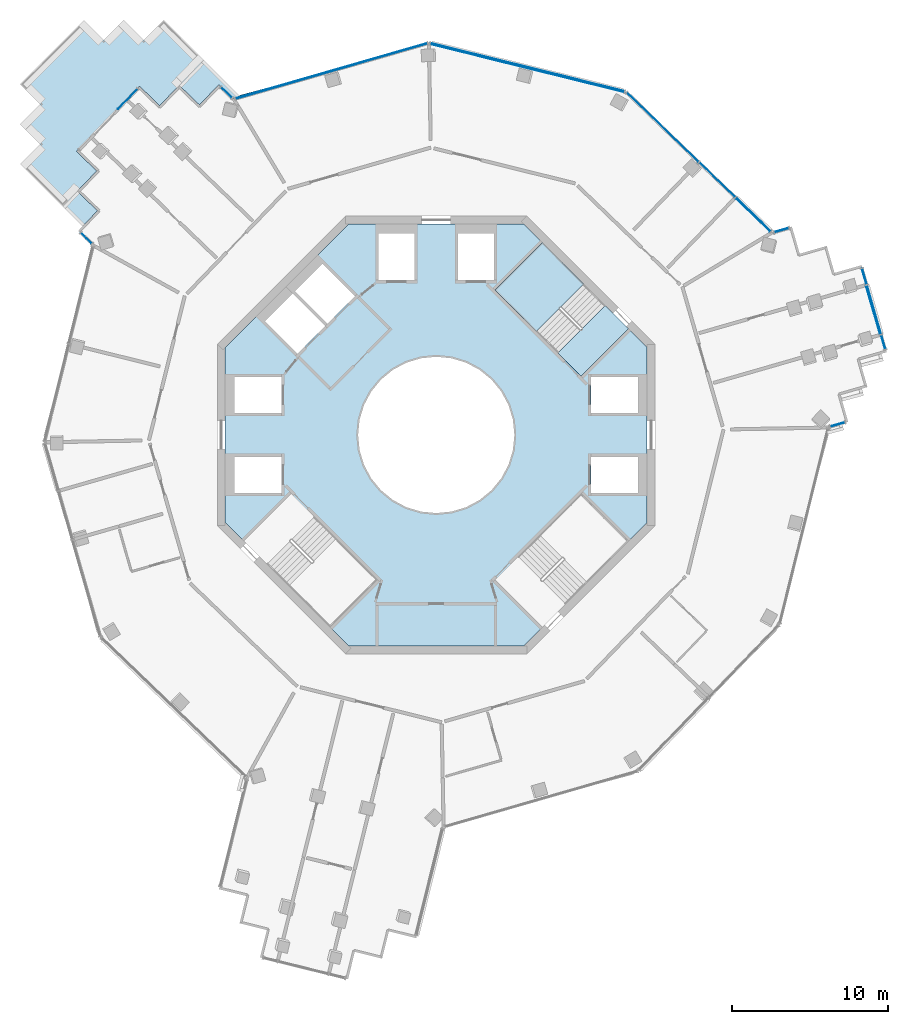
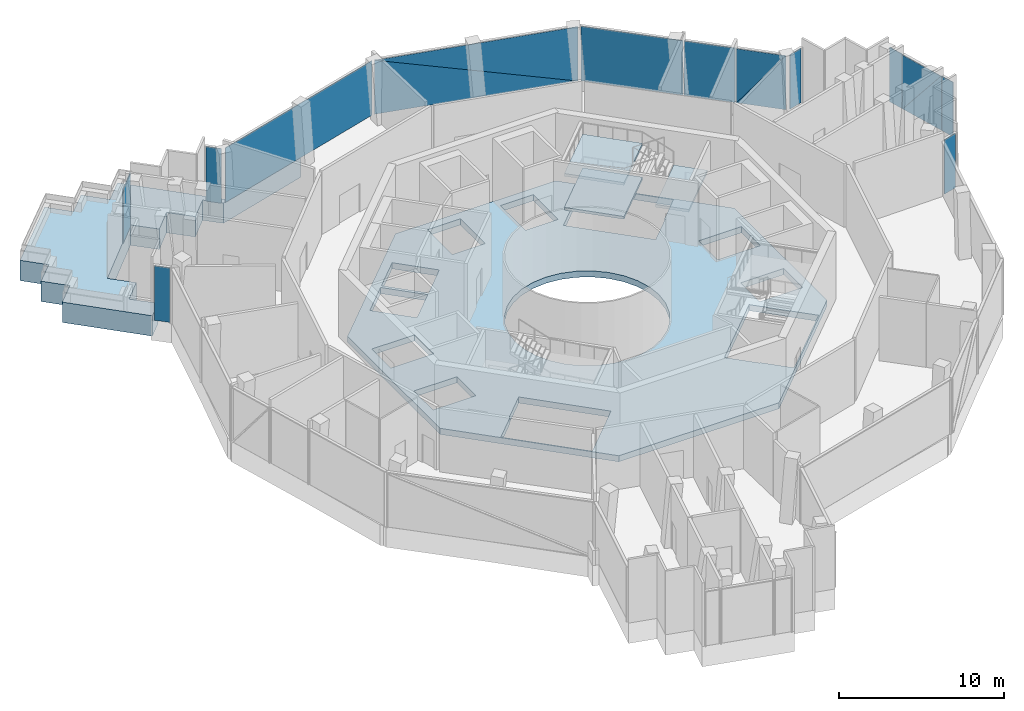
# One storey, part 7 of 17: 16 plates, 5 slabs, 10 elements without a shape of their own.
"""IFC4 building model written with IfcOpenShell, lengths in metres."""

from ifc_helpers import new_model, si_unit, direction, frame, origin, origin_2d, place, context, subcontext, project, spatial, polyline, rectangle, outline, extrude, material, layer, layer_set, type_object, element, aggregate, save


model = new_model("IFC4")

# Units and contexts
model_context = context("Model", 3, precision=1e-05, world=origin(), true_north=direction((0.0, 1.0)))
body_context = subcontext(model_context, "Body", "Model", "MODEL_VIEW")
ifc_project = project(units=[si_unit("LENGTHUNIT", "METRE"), si_unit("AREAUNIT", "SQUARE_METRE"), si_unit("VOLUMEUNIT", "CUBIC_METRE"), si_unit("PLANEANGLEUNIT", "RADIAN"), si_unit("MASSUNIT", "GRAM", prefix="KILO")], contexts=[model_context])

# Site, building, storey
site_placement = place(None, origin())
site = spatial("IfcSite", under=ifc_project, at=site_placement, CompositionType="ELEMENT")
building_placement = place(site_placement, origin())
building = spatial("IfcBuilding", under=site, at=building_placement, Name="Verdalira Terraces Hotel", CompositionType="ELEMENT")
storey_placement = place(building_placement, frame((0.0, 0.0, 222.0)))
storey = spatial("IfcBuildingStorey", under=building, at=storey_placement, Name="L54", CompositionType="ELEMENT", Elevation=222.0)

# Curtain wall, plate
ifc_material_1 = material(Name="Clear glass", Category="glass")
ifc_layer_1 = layer(ifc_material_1, 0.239990234375)
ifc_layer_set_1 = layer_set([ifc_layer_1], Name="CW5 curtain wall")
curtain_wall_type = type_object("IfcCurtainWallType", Name="CW5 curtain wall", PredefinedType="NOTDEFINED", material=ifc_layer_set_1)
curtain_wall_1_placement = place(storey_placement, origin())
curtain_wall_1 = element("IfcCurtainWall", 1, at=curtain_wall_1_placement, inside=storey, type_object=curtain_wall_type, Name="CW5 curtain wall L54 edge 0", PredefinedType="NOTDEFINED")
ifc_material_2 = material(Name="Clear glass", Category="glass")
ifc_layer_2 = layer(ifc_material_2, 0.0439453125)
ifc_layer_set_2 = layer_set([ifc_layer_2], Name="CW5 glass unit 44")
plate_type = type_object("IfcPlateType", Name="CW5 glass unit 44", PredefinedType="CURTAIN_PANEL", material=ifc_layer_set_2)
plate_1_placement = place(storey_placement, frame((-13.417969, 21.903564, 0.0), z_axis=(0.0, 0.0, 1.0), x_axis=(-0.720309025, 0.693653306, 0.0)))
plate_1 = element("IfcPlate", 2, at=plate_1_placement, type_object=plate_type, Name="CW5 glass unit", PredefinedType="CURTAIN_PANEL", context=body_context, shape_type="SweptSolid", body=[
    extrude(rectangle(XDim=0.956543, YDim=0.043945, at=origin_2d()), origin(), (0.0, 0.0, 1.0), 4.014893),
])
aggregate(curtain_wall_1, [plate_1])

curtain_wall_2_placement = place(storey_placement, origin())
curtain_wall_2 = element("IfcCurtainWall", 3, at=curtain_wall_2_placement, inside=storey, type_object=curtain_wall_type, Name="CW5 curtain wall L54 edge 5", PredefinedType="NOTDEFINED")
plate_2_placement = place(storey_placement, frame((-19.742188, 21.489746, 0.0), z_axis=(0.0, 0.0, 1.0), x_axis=(-0.693653306, -0.720309025, 0.0)))
plate_2 = element("IfcPlate", 4, at=plate_2_placement, type_object=plate_type, Name="CW5 glass unit", PredefinedType="CURTAIN_PANEL", context=body_context, shape_type="SweptSolid", body=[
    extrude(rectangle(XDim=1.790039, YDim=0.043945, at=origin_2d()), origin(), (0.0, 0.0, 1.0), 4.014893),
])
aggregate(curtain_wall_2, [plate_2])

curtain_wall_3_placement = place(storey_placement, origin())
curtain_wall_3 = element("IfcCurtainWall", 5, at=curtain_wall_3_placement, inside=storey, type_object=curtain_wall_type, Name="CW5 curtain wall L54 edge 10", PredefinedType="NOTDEFINED")
plate_3_placement = place(storey_placement, frame((-22.393799, 12.582764, 0.0), z_axis=(0.0, 0.0, 1.0), x_axis=(0.720309025, -0.693653306, 0.0)))
plate_3 = element("IfcPlate", 6, at=plate_3_placement, type_object=plate_type, Name="CW5 glass unit", PredefinedType="CURTAIN_PANEL", context=body_context, shape_type="SweptSolid", body=[
    extrude(rectangle(XDim=0.956543, YDim=0.043945, at=origin_2d()), origin(), (0.0, 0.0, 1.0), 4.014893),
])
aggregate(curtain_wall_3, [plate_3])

curtain_wall_4_placement = place(storey_placement, origin())
curtain_wall_4 = element("IfcCurtainWall", 7, at=curtain_wall_4_placement, inside=storey, type_object=curtain_wall_type, Name="CW5 curtain wall L54 edge 28", PredefinedType="NOTDEFINED")
plate_4_placement = place(storey_placement, frame((25.677979, 0.668457, 0.0), z_axis=(0.0, 0.0, 1.0), x_axis=(0.960875897, 0.276979261, 0.0)))
plate_4 = element("IfcPlate", 8, at=plate_4_placement, type_object=plate_type, Name="CW5 glass unit", PredefinedType="CURTAIN_PANEL", context=body_context, shape_type="SweptSolid", body=[
    extrude(rectangle(XDim=0.956543, YDim=0.043945, at=origin_2d()), origin(), (0.0, 0.0, 1.0), 4.014893),
])
aggregate(curtain_wall_4, [plate_4])

# Curtain wall, plates
curtain_wall_5_placement = place(storey_placement, origin())
curtain_wall_5 = element("IfcCurtainWall", 9, at=curtain_wall_5_placement, inside=storey, type_object=curtain_wall_type, Name="CW5 curtain wall L54 edge 33", PredefinedType="NOTDEFINED")
plate_5_placement = place(storey_placement, frame((28.601074, 5.938232, 0.0), z_axis=(0.0, 0.0, 1.0), x_axis=(-0.276979261, 0.960875897, 0.0)))
plate_5 = element("IfcPlate", 10, at=plate_5_placement, type_object=plate_type, Name="CW5 glass unit", PredefinedType="CURTAIN_PANEL", context=body_context, shape_type="SweptSolid", body=[
    extrude(rectangle(XDim=0.927734, YDim=0.043945, at=origin_2d()), origin(), (0.0, 0.0, 1.0), 4.014893),
])
plate_6_placement = place(storey_placement, frame((27.98291, 8.003906, 2.007568), z_axis=(0.960875897, 0.276979261, 0.0), x_axis=(-0.276979261, 0.960875897, 0.0)))
plate_6 = element("IfcPlate", 11, at=plate_6_placement, type_object=plate_type, Name="CW5 glass unit", PredefinedType="CURTAIN_PANEL", context=body_context, shape_type="SweptSolid", body=[
    extrude(outline(polyline([(-1.622314, -2.007324), (1.622314, -2.007324), (-1.622314, 2.007324), (-1.622314, -2.007324)])), origin(), (0.0, 0.0, 1.0), 0.043945),
])
plate_7_placement = place(storey_placement, frame((27.939697, 7.991455, 2.007568), z_axis=(0.960875897, 0.276979261, 0.0), x_axis=(-0.276979261, 0.960875897, 0.0)))
plate_7 = element("IfcPlate", 12, at=plate_7_placement, type_object=plate_type, Name="CW5 glass unit", PredefinedType="CURTAIN_PANEL", context=body_context, shape_type="SweptSolid", body=[
    extrude(outline(polyline([(1.622314, -2.007324), (1.622314, 2.007324), (-1.622314, 2.007324), (1.622314, -2.007324)])), origin(), (0.0, 0.0, 1.0), 0.043945),
])
plate_8_placement = place(storey_placement, frame((27.389893, 10.139404, 0.0), z_axis=(0.0, 0.0, 1.0), x_axis=(-0.276979261, 0.960875897, 0.0)))
plate_8 = element("IfcPlate", 13, at=plate_8_placement, type_object=plate_type, Name="CW5 glass unit", PredefinedType="CURTAIN_PANEL", context=body_context, shape_type="SweptSolid", body=[
    extrude(rectangle(XDim=1.047363, YDim=0.043945, at=origin_2d()), origin(), (0.0, 0.0, 1.0), 4.014893),
])
aggregate(curtain_wall_5, [plate_5, plate_6, plate_7, plate_8])

# Curtain wall, plate
curtain_wall_6_placement = place(storey_placement, origin())
curtain_wall_6 = element("IfcCurtainWall", 14, at=curtain_wall_6_placement, inside=storey, type_object=curtain_wall_type, Name="CW5 curtain wall L54 edge 38", PredefinedType="NOTDEFINED")
plate_9_placement = place(storey_placement, frame((22.093994, 13.102051, 0.0), z_axis=(0.0, 0.0, 1.0), x_axis=(-0.960875897, -0.276979261, 0.0)))
plate_9 = element("IfcPlate", 15, at=plate_9_placement, type_object=plate_type, Name="CW5 glass unit", PredefinedType="CURTAIN_PANEL", context=body_context, shape_type="SweptSolid", body=[
    extrude(rectangle(XDim=0.956543, YDim=0.043945, at=origin_2d()), origin(), (0.0, 0.0, 1.0), 4.014893),
])
aggregate(curtain_wall_6, [plate_9])

# Curtain wall, plates
curtain_wall_7_placement = place(storey_placement, origin())
curtain_wall_7 = element("IfcCurtainWall", 16, at=curtain_wall_7_placement, inside=storey, type_object=curtain_wall_type, Name="CW5 curtain wall L54 edge 39", PredefinedType="NOTDEFINED")
plate_10_placement = place(storey_placement, frame((20.270996, 14.084717, 2.007568), z_axis=(0.693653306, 0.720309025, 0.0), x_axis=(-0.720309025, 0.693653306, 0.0)))
plate_10 = element("IfcPlate", 17, at=plate_10_placement, type_object=plate_type, Name="CW5 glass unit", PredefinedType="CURTAIN_PANEL", context=body_context, shape_type="SweptSolid", body=[
    extrude(outline(polyline([(-1.546387, -2.007324), (1.546387, -2.007324), (-1.546387, 2.007324), (-1.546387, -2.007324)])), origin(), (0.0, 0.0, 1.0), 0.043945),
])
plate_11_placement = place(storey_placement, frame((20.239746, 14.05249, 2.007568), z_axis=(0.693653306, 0.720309025, 0.0), x_axis=(-0.720309025, 0.693653306, 0.0)))
plate_11 = element("IfcPlate", 18, at=plate_11_placement, type_object=plate_type, Name="CW5 glass unit", PredefinedType="CURTAIN_PANEL", context=body_context, shape_type="SweptSolid", body=[
    extrude(outline(polyline([(1.546387, -2.007324), (1.546387, 2.007324), (-1.546387, 2.007324), (1.546387, -2.007324)])), origin(), (0.0, 0.0, 1.0), 0.043945),
])
plate_12_placement = place(storey_placement, frame((17.976562, 16.324707, 0.0), z_axis=(0.0, 0.0, 1.0), x_axis=(-0.720309025, 0.693653306, 0.0)))
plate_12 = element("IfcPlate", 19, at=plate_12_placement, type_object=plate_type, Name="CW5 glass unit", PredefinedType="CURTAIN_PANEL", context=body_context, shape_type="SweptSolid", body=[
    extrude(rectangle(XDim=3.179932, YDim=0.043945, at=origin_2d()), origin(), (0.0, 0.0, 1.0), 4.014893),
])
plate_13_placement = place(storey_placement, frame((14.492188, 19.680176, 0.0), z_axis=(0.0, 0.0, 1.0), x_axis=(-0.720309025, 0.693653306, 0.0)))
plate_13 = element("IfcPlate", 20, at=plate_13_placement, type_object=plate_type, Name="CW5 glass unit", PredefinedType="CURTAIN_PANEL", context=body_context, shape_type="SweptSolid", body=[
    extrude(rectangle(XDim=6.354736, YDim=0.043945, at=origin_2d()), origin(), (0.0, 0.0, 1.0), 4.014893),
])
aggregate(curtain_wall_7, [plate_10, plate_11, plate_12, plate_13])

curtain_wall_8_placement = place(storey_placement, origin())
curtain_wall_8 = element("IfcCurtainWall", 21, at=curtain_wall_8_placement, inside=storey, type_object=curtain_wall_type, Name="CW5 curtain wall L54 edge 40", PredefinedType="NOTDEFINED")
plate_14_placement = place(storey_placement, frame((5.823242, 23.495605, 2.007568), z_axis=(0.240566872, 0.970632567, 0.0), x_axis=(-0.970632567, 0.240566872, 0.0)))
plate_14 = element("IfcPlate", 22, at=plate_14_placement, type_object=plate_type, Name="CW5 glass unit", PredefinedType="CURTAIN_PANEL", context=body_context, shape_type="SweptSolid", body=[
    extrude(outline(polyline([(-6.389648, -2.007324), (6.389648, -2.007324), (6.389648, 2.007324), (-6.389648, -2.007324)])), origin(), (0.0, 0.0, 1.0), 0.043945),
])
plate_15_placement = place(storey_placement, frame((5.8125, 23.451904, 2.007568), z_axis=(0.240566872, 0.970632567, 0.0), x_axis=(-0.970632567, 0.240566872, 0.0)))
plate_15 = element("IfcPlate", 23, at=plate_15_placement, type_object=plate_type, Name="CW5 glass unit", PredefinedType="CURTAIN_PANEL", context=body_context, shape_type="SweptSolid", body=[
    extrude(outline(polyline([(-6.389648, -2.007324), (6.389648, 2.007324), (-6.389648, 2.007324), (-6.389648, -2.007324)])), origin(), (0.0, 0.0, 1.0), 0.043945),
])
aggregate(curtain_wall_8, [plate_14, plate_15])

# Curtain wall, plate
curtain_wall_9_placement = place(storey_placement, origin())
curtain_wall_9 = element("IfcCurtainWall", 24, at=curtain_wall_9_placement, inside=storey, type_object=curtain_wall_type, Name="CW5 curtain wall L54 edge 41", PredefinedType="NOTDEFINED")
plate_16_placement = place(storey_placement, frame((-6.705078, 23.281982, 0.0), z_axis=(0.0, 0.0, 1.0), x_axis=(-0.960875897, -0.276979261, 0.0)))
plate_16 = element("IfcPlate", 25, at=plate_16_placement, type_object=plate_type, Name="CW5 glass unit", PredefinedType="CURTAIN_PANEL", context=body_context, shape_type="SweptSolid", body=[
    extrude(rectangle(XDim=12.767822, YDim=0.043945, at=origin_2d()), origin(), (0.0, 0.0, 1.0), 4.014893),
])
aggregate(curtain_wall_9, [plate_16])

# Slab
ifc_material_3 = material(Name="Concrete C40", Category="concrete")
ifc_layer_3 = layer(ifc_material_3, 0.449951171875)
ifc_layer_set_3 = layer_set([ifc_layer_3], Name="Core floor slab 450 mm")
slab_type_1 = type_object("IfcSlabType", Name="Core floor slab 450 mm", PredefinedType="FLOOR", material=ifc_layer_set_3)
slab_1_placement = place(storey_placement, frame((0.0, 0.0, -0.449951)))
element("IfcSlab", 26, at=slab_1_placement, inside=storey, type_object=slab_type_1, Name="L54 core floor", PredefinedType="FLOOR", context=body_context, shape_type="SweptSolid", body=[
    extrude(outline(polyline([(-13.5, -5.591797), (-13.5, 5.591797), (-5.591797, 13.5), (5.591797, 13.5), (13.5, 5.591797), (13.5, -5.591797), (5.591797, -13.5), (-5.591797, -13.5), (-13.5, -5.591797)]), holes=[polyline([(9.899902, -1.399902), (9.899902, -3.699951), (12.899902, -3.699951), (12.899902, -1.399902), (9.899902, -1.399902)]), polyline([(9.899902, 3.699951), (9.899902, 1.399902), (12.899902, 1.399902), (12.899902, 3.699951), (9.899902, 3.699951)]), polyline([(3.699951, 12.899902), (1.399902, 12.899902), (1.399902, 9.899902), (3.699951, 9.899902), (3.699951, 12.899902)]), polyline([(-1.399902, 12.899902), (-3.699951, 12.899902), (-3.699951, 9.899902), (-1.399902, 9.899902), (-1.399902, 12.899902)]), polyline([(-9.899902, 1.399902), (-9.899902, 3.699951), (-12.899902, 3.699951), (-12.899902, 1.399902), (-9.899902, 1.399902)]), polyline([(-9.899902, -3.699951), (-9.899902, -1.399902), (-12.899902, -1.399902), (-12.899902, -3.699951), (-9.899902, -3.699951)]), polyline([(-9.051025, 9.192383), (-6.965088, 7.106445), (-5.197266, 8.874268), (-7.283203, 10.960205), (-9.051025, 9.192383)]), polyline([(-9.192383, 9.051025), (-10.960205, 7.283203), (-8.874268, 5.197266), (-7.106445, 6.965088), (-9.192383, 9.051025)]), polyline([(3.5354, 3.5354), (2.777832, 4.157227), (1.91333, 4.619385), (0.975586, 4.903809), (0.0, 5.0), (-0.975586, 4.903809), (-1.91333, 4.619385), (-2.777832, 4.157227), (-3.5354, 3.5354), (-4.157227, 2.777832), (-4.619385, 1.91333), (-4.903809, 0.975586), (-5.0, 0.0), (-4.903809, -0.975586), (-4.619385, -1.91333), (-4.157227, -2.777832), (-3.5354, -3.5354), (-2.777832, -4.157227), (-1.91333, -4.619385), (-0.975586, -4.903809), (0.0, -5.0), (0.975586, -4.903809), (1.91333, -4.619385), (2.777832, -4.157227), (3.5354, -3.5354), (4.157227, -2.777832), (4.619385, -1.91333), (4.903809, -0.975586), (5.0, 0.0), (4.903809, 0.975586), (4.619385, 1.91333), (4.157227, 2.777832), (3.5354, 3.5354)]), polyline([(6.717529, 12.26123), (5.211426, 10.755127), (5.211426, 10.755127), (3.648682, 9.192383), (7.728271, 5.112793), (9.298096, 6.682617), (9.262695, 6.718018), (10.761719, 8.216797), (6.717529, 12.26123)]), polyline([(-3.648682, -9.192383), (-7.728271, -5.112793), (-9.298096, -6.682617), (-9.262695, -6.718018), (-10.761719, -8.216797), (-6.717529, -12.26123), (-5.211426, -10.755127), (-5.211426, -10.755127), (-3.648682, -9.192383)]), polyline([(10.755127, -5.211426), (9.192383, -3.648682), (5.112793, -7.728271), (6.682617, -9.298096), (6.718018, -9.262695), (8.216797, -10.761719), (12.26123, -6.717529), (10.755127, -5.211426), (10.755127, -5.211426)])]), origin(), (0.0, 0.0, 1.0), 0.449951),
])

# Stair, slabs
ifc_material_4 = material(Name="Concrete C40", Category="concrete")
stair_type = type_object("IfcStairType", Name="Core stair 32 risers 2100 mm wide", PredefinedType="HALF_TURN_STAIR", material=ifc_material_4)
stair_placement = place(storey_placement, origin())
stair = element("IfcStair", 27, at=stair_placement, inside=storey, type_object=stair_type, Name="L54 Exit stair ST1", PredefinedType="HALF_TURN_STAIR")
ifc_material_5 = material(Name="Concrete C40", Category="concrete")
ifc_layer_4 = layer(ifc_material_5, 0.199951171875)
ifc_layer_set_4 = layer_set([ifc_layer_4], Name="Core stair landing 200 mm")
slab_type_2 = type_object("IfcSlabType", Name="Core stair landing 200 mm", PredefinedType="LANDING", material=ifc_layer_set_4)
slab_2_placement = place(storey_placement, frame((0.0, 0.0, 1.050049)))
slab_2 = element("IfcSlab", 28, at=slab_2_placement, type_object=slab_type_2, Name="ST1 landing 1", PredefinedType="LANDING", context=body_context, shape_type="SweptSolid", body=[
    extrude(outline(polyline([(9.433105, 9.658691), (6.78833, 12.303711), (3.747559, 9.263184), (6.392578, 6.618164), (9.433105, 9.658691)])), origin(), (0.0, 0.0, 1.0), 0.199951),
])
slab_3_placement = place(storey_placement, frame((0.0, 0.0, 2.300049)))
slab_3 = element("IfcSlab", 29, at=slab_3_placement, type_object=slab_type_2, Name="ST1 landing 2", PredefinedType="LANDING", context=body_context, shape_type="SweptSolid", body=[
    extrude(outline(polyline([(12.303711, 6.78833), (10.818359, 8.273438), (7.777832, 5.23291), (9.263184, 3.747559), (12.303711, 6.78833)])), origin(), (0.0, 0.0, 1.0), 0.199951),
])
slab_4_placement = place(storey_placement, frame((0.0, 0.0, 3.550049)))
slab_4 = element("IfcSlab", 30, at=slab_4_placement, type_object=slab_type_2, Name="ST1 landing 3", PredefinedType="LANDING", context=body_context, shape_type="SweptSolid", body=[
    extrude(outline(polyline([(9.433105, 9.658691), (6.78833, 12.303711), (3.747559, 9.263184), (6.392578, 6.618164), (9.433105, 9.658691)])), origin(), (0.0, 0.0, 1.0), 0.199951),
])
aggregate(stair, [slab_2, slab_3, slab_4])

# Slab
ifc_material_6 = material(Name="Concrete C60", Category="concrete")
ifc_layer_5 = layer(ifc_material_6, 1.5)
ifc_layer_set_5 = layer_set([ifc_layer_5], Name="Sky garden floor deck 1500 C60")
slab_type_3 = type_object("IfcSlabType", Name="Sky garden floor deck 1500 C60", PredefinedType="FLOOR", material=ifc_layer_set_5)
slab_5_placement = place(storey_placement, frame((0.0, 0.0, -1.5)))
element("IfcSlab", 31, at=slab_5_placement, inside=storey, type_object=slab_type_3, Name="Sky garden deck L54", PredefinedType="FLOOR", context=body_context, shape_type="SweptSolid", body=[
    extrude(outline(polyline([(-26.619873, 17.335205), (-22.621094, 13.353516), (-21.668945, 14.342041), (-22.965576, 15.59082), (-21.716797, 16.887207), (-23.013428, 18.135742), (-18.990234, 22.313721), (-17.693604, 21.064941), (-16.445312, 22.361572), (-15.148682, 21.113037), (-13.899902, 22.409668), (-12.9646, 21.508789), (-6.523682, 23.365479), (-12.602539, 21.723145), (-17.446777, 26.546875), (-18.716797, 25.271484), (-19.992188, 26.541504), (-21.262451, 25.266113), (-22.537842, 26.536377), (-26.630371, 22.426514), (-25.35498, 21.15625), (-26.625, 19.880859), (-25.349609, 18.61084), (-26.619873, 17.335205)])), origin(), (0.0, 0.0, 1.0), 1.5),
])

save(model, "model.ifc")
